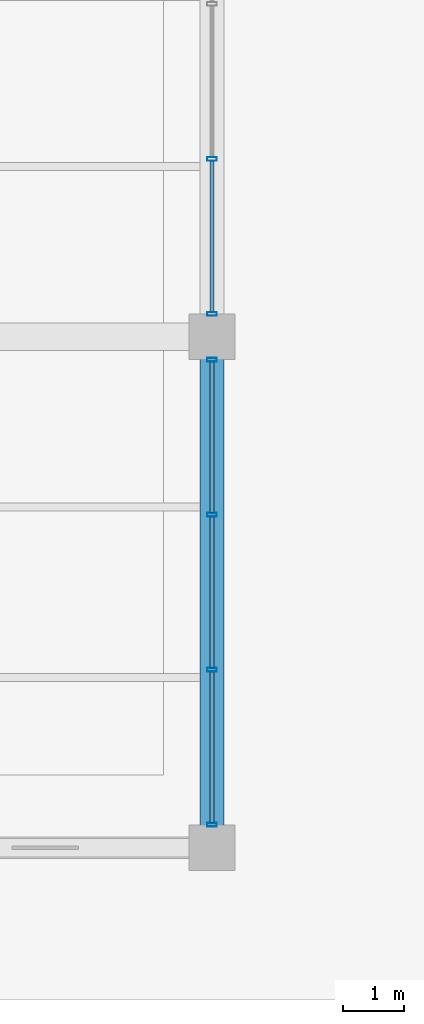
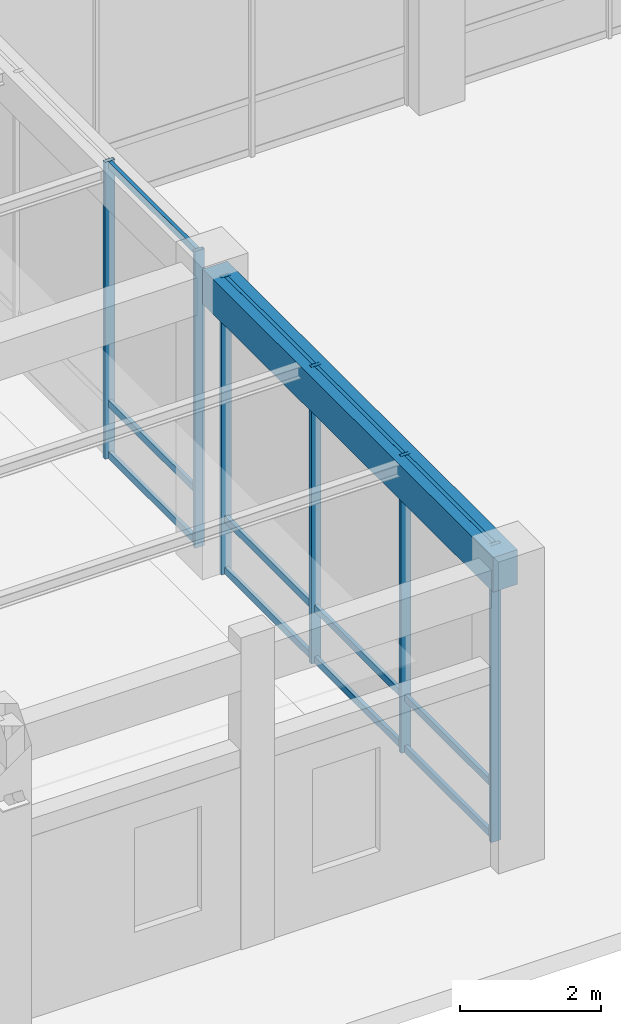
# One storey, part 9 of 157: 18 members, 1 beam, 2 elements without a shape of their own.
"""IFC4 building model written with IfcOpenShell, lengths in metres."""

import ifcopenshell
import ifcopenshell.guid

model = None  # the IFC model being written
_history = None  # IfcOwnerHistory: only IFC2X3 demands one
_inside = {}  # id of a spatial element -> (the spatial element, [elements in it])
_under = {}  # id of a project, library or spatial element -> (it, [spatial elements below it])
_declared = {}  # id of a project -> (the project, [libraries it declares])
_typed = {}  # id of a type object -> (the type object, [elements of that type])
_made_of = {}  # id of a material, layer set ... -> (it, [elements and type objects made of it])


def new_model(schema):
    """Start an empty IFC model of exactly this schema.

    Asked for "IFC4X3", IfcOpenShell would pick the latest addendum, in which some entities
    have other attributes; the version numbers below select the first issue.
    IFC2X3 requires an IfcOwnerHistory on every rooted entity: one is made here for all.
    """
    global model, _history
    if schema == "IFC4X3":
        model = ifcopenshell.file(schema_version=(4, 3, 0, 0))
    else:
        model = ifcopenshell.file(schema=schema)
    _inside.clear()
    _under.clear()
    _declared.clear()
    _typed.clear()
    _made_of.clear()
    _history = None
    if model.schema == "IFC2X3":
        org = make("IfcOrganization", Name="unknown")
        user = make(
            "IfcPersonAndOrganization",
            ThePerson=make("IfcPerson", FamilyName="unknown"),
            TheOrganization=org,
        )
        app = make(
            "IfcApplication",
            ApplicationDeveloper=org,
            Version="unknown",
            ApplicationFullName="unknown",
            ApplicationIdentifier="unknown",
        )
        _history = make(
            "IfcOwnerHistory",
            OwningUser=user,
            OwningApplication=app,
            ChangeAction="ADDED",
            CreationDate=0,
        )
    return model


def make(cls, **values):
    """One entity of the class cls with the attributes given. An attribute that is None is left unset."""
    return model.create_entity(
        cls, **{name: value for name, value in values.items() if value is not None}
    )


def rooted(cls, **values):
    """An entity with a GlobalId (a new one), such as an element, a storey or a relation."""
    return make(cls, GlobalId=ifcopenshell.guid.new(), OwnerHistory=_history, **values)


def si_unit(unit_type, name, prefix=None):
    """IfcSIUnit, for example si_unit("LENGTHUNIT", "METRE", prefix="MILLI")."""
    return make("IfcSIUnit", UnitType=unit_type, Prefix=prefix, Name=name)


def assignment(units):
    """IfcUnitAssignment: the units of a project."""
    return None if units is None else make("IfcUnitAssignment", Units=units)


def point(xyz):
    """IfcCartesianPoint."""
    return None if xyz is None else make("IfcCartesianPoint", Coordinates=xyz)


def direction(xyz):
    """IfcDirection."""
    return None if xyz is None else make("IfcDirection", DirectionRatios=xyz)


def frame(location, z_axis=None, x_axis=None):
    """IfcAxis2Placement3D, a coordinate frame: its origin and axes. An axis left out is left unset."""
    return make(
        "IfcAxis2Placement3D",
        Location=point(location),
        Axis=direction(z_axis),
        RefDirection=direction(x_axis),
    )


def frame_2d(location, x_axis=None):
    """IfcAxis2Placement2D, a coordinate frame in the plane: its origin and x axis."""
    return make(
        "IfcAxis2Placement2D", Location=point(location), RefDirection=direction(x_axis)
    )


def origin():
    """The frame at (0, 0, 0) with its axes left unset."""
    return frame((0.0, 0.0, 0.0))


def origin_2d():
    """The frame at (0, 0) in the plane with its x axis left unset."""
    return frame_2d((0.0, 0.0))


def place(relative_to, where):
    """IfcLocalPlacement: puts the frame where relative to a parent placement (None: the world)."""
    return make(
        "IfcLocalPlacement", PlacementRelTo=relative_to, RelativePlacement=where
    )


def context(
    kind, dimensions, precision=None, world=None, true_north=None, identifier=None
):
    """IfcGeometricRepresentationContext, for example the 3D "Model" context."""
    return make(
        "IfcGeometricRepresentationContext",
        ContextIdentifier=identifier,
        ContextType=kind,
        CoordinateSpaceDimension=dimensions,
        Precision=precision,
        WorldCoordinateSystem=world,
        TrueNorth=true_north,
    )


def subcontext(parent, identifier, kind, view, scale=None):
    """IfcGeometricRepresentationSubContext, for example "Body" below "Model"."""
    return make(
        "IfcGeometricRepresentationSubContext",
        ContextIdentifier=identifier,
        ContextType=kind,
        ParentContext=parent,
        TargetScale=scale,
        TargetView=view,
    )


def project(units=None, contexts=None):
    """IfcProject with its units and contexts."""
    return rooted(
        "IfcProject",
        Name="project",
        RepresentationContexts=contexts,
        UnitsInContext=assignment(units),
    )


def spatial(cls, under=None, at=None, **own):
    """A site, building, storey or space (cls), placed at a placement, below another one or the project."""
    s = rooted(cls, ObjectPlacement=at, **own)
    if under is not None:
        _under.setdefault(under.id(), (under, []))[1].append(s)
    return s


def profile(cls, at=None, kind="AREA", **sizes):
    """A parametric profile (cls). Its sizes go by their IFC names, for example OverallWidth=200.0."""
    return make(cls, ProfileType=kind, Position=at, **sizes)


def rectangle(**sizes):
    """IfcRectangleProfileDef."""
    return profile("IfcRectangleProfileDef", **sizes)


def hollow_rectangle(**sizes):
    """IfcRectangleHollowProfileDef."""
    return profile("IfcRectangleHollowProfileDef", **sizes)


def extrude(swept, where, along, depth):
    """IfcExtrudedAreaSolid: the profile swept, set in the frame where, extruded along a direction by depth."""
    return make(
        "IfcExtrudedAreaSolid",
        SweptArea=swept,
        Position=where,
        ExtrudedDirection=direction(along),
        Depth=depth,
    )


def shape(context_of_items, identifier, shape_type, items):
    """IfcShapeRepresentation: the items that make up one representation, for example the "Body"."""
    return make(
        "IfcShapeRepresentation",
        ContextOfItems=context_of_items,
        RepresentationIdentifier=identifier,
        RepresentationType=shape_type,
        Items=items,
    )


def material(Name=None, Category=None):
    """IfcMaterial."""
    return make("IfcMaterial", Name=Name, Category=Category)


def material_profile(
    of_material, cross_section, Name=None, Category=None, Priority=None
):
    """IfcMaterialProfile: a cross section and its material."""
    return make(
        "IfcMaterialProfile",
        Name=Name,
        Material=of_material,
        Profile=cross_section,
        Priority=Priority,
        Category=Category,
    )


def profile_set(profiles, Name=None, composite=None):
    """IfcMaterialProfileSet."""
    return make(
        "IfcMaterialProfileSet",
        Name=Name,
        MaterialProfiles=profiles,
        CompositeProfile=composite,
    )


def made_of(thing, what):
    """Note that an element or type object is made of a material, layer set ...; save() writes the relation."""
    if what is not None:
        _made_of.setdefault(what.id(), (what, []))[1].append(thing)
    return thing


def type_object(cls, material=None, **own):
    """A type object (cls), such as IfcWallType, which elements share."""
    return made_of(rooted(cls, **own), material)


def element(
    cls,
    number,
    at=None,
    inside=None,
    cuts=None,
    type_object=None,
    material=None,
    context=None,
    identifier="Body",
    shape_type=None,
    held_by="IfcProductDefinitionShape",
    body=None,
    shapes=None,
    **own,
):
    """One element of the class cls, such as IfcWall. Its Tag is "e" and its number.

    at: its placement. inside: the storey or other place that contains it. cuts: it is an
    opening in that element (IfcRelVoidsElement). A single representation is given by context,
    identifier, shape_type and body (its items); several are given by shapes. held_by: the class
    of the entity that holds the representations. save() writes the other relations.
    """
    e = rooted(cls, Tag="e%d" % number, ObjectPlacement=at, **own)
    if body is not None:
        shapes = [shape(context, identifier, shape_type, body)]
    if shapes is not None:
        e.Representation = make(held_by, Representations=shapes)
    if inside is not None:
        _inside.setdefault(inside.id(), (inside, []))[1].append(e)
    if cuts is not None:
        rooted(
            "IfcRelVoidsElement", RelatingBuildingElement=cuts, RelatedOpeningElement=e
        )
    if type_object is not None:
        _typed.setdefault(type_object.id(), (type_object, []))[1].append(e)
    return made_of(e, material)


def aggregate(whole, parts):
    """IfcRelAggregates: a whole, such as a stair, and the parts it consists of."""
    return rooted("IfcRelAggregates", RelatingObject=whole, RelatedObjects=parts)


def save(model, path):
    """Write the relations noted so far, then the file.

    IfcRelAggregates (storeys below a building ...), IfcRelContainedInSpatialStructure (elements
    in a storey), IfcRelDefinesByType, IfcRelAssociatesMaterial and IfcRelDeclares: one each for
    every whole, place, type object, material and project.
    """
    for whole, parts in _under.values():
        aggregate(whole, parts)
    for where, things in _inside.values():
        rooted(
            "IfcRelContainedInSpatialStructure",
            RelatedElements=things,
            RelatingStructure=where,
        )
    for kind, things in _typed.values():
        rooted("IfcRelDefinesByType", RelatedObjects=things, RelatingType=kind)
    for what, things in _made_of.values():
        rooted("IfcRelAssociatesMaterial", RelatedObjects=things, RelatingMaterial=what)
    for by, libraries in _declared.values():
        rooted("IfcRelDeclares", RelatingContext=by, RelatedDefinitions=libraries)
    model.write(path)


model = new_model("IFC4")

# Units and contexts
model_context = context("Model", 3, precision=1e-05, world=origin(), true_north=direction((0.0, 1.0)))
body_context = subcontext(model_context, "Body", "Model", "MODEL_VIEW")
ifc_project = project(units=[si_unit("LENGTHUNIT", "METRE"), si_unit("AREAUNIT", "SQUARE_METRE"), si_unit("VOLUMEUNIT", "CUBIC_METRE"), si_unit("PLANEANGLEUNIT", "RADIAN"), si_unit("MASSUNIT", "GRAM", prefix="KILO"), si_unit("THERMODYNAMICTEMPERATUREUNIT", "KELVIN"), si_unit("POWERUNIT", "WATT")], contexts=[model_context])

# Site, building, storey
site_placement = place(None, origin())
site = spatial("IfcSite", under=ifc_project, at=site_placement, CompositionType="ELEMENT")
building_placement = place(site_placement, origin())
building = spatial("IfcBuilding", under=site, at=building_placement, Name="Darbajah Civic Hall", CompositionType="ELEMENT")
storey_placement = place(building_placement, origin())
storey = spatial("IfcBuildingStorey", under=building, at=storey_placement, Name="L00", CompositionType="ELEMENT", Elevation=0.0)

# Curtain wall, members
ifc_material_1 = material(Name="Anodised Bronze Aluminium and Low-E Glazing", Category="aluminium")
curtain_wall_type = type_object("IfcCurtainWallType", Name="Unitised Curtain Wall CW-98 7600x5150", PredefinedType="USERDEFINED", material=ifc_material_1)
curtain_wall_1_placement = place(storey_placement, origin())
curtain_wall_1 = element("IfcCurtainWall", 1, at=curtain_wall_1_placement, inside=storey, type_object=curtain_wall_type, Name="L00 unitised curtain wall CW-V5-L00-S1-B0", ObjectType="UNITISED CURTAIN WALL", PredefinedType="USERDEFINED")
ifc_material_2 = material(Name="Anodised Bronze Aluminium", Category="aluminium")
ifc_material_profile_1 = material_profile(ifc_material_2, hollow_rectangle(XDim=0.06005859375, YDim=0.159912109375, WallThickness=0.00341796875, at=origin_2d()), Name="ALU MULLION 60x160")
ifc_profile_set_1 = profile_set([ifc_material_profile_1], Name="Anodised Bronze Aluminium")
member_type_1 = type_object("IfcMemberType", Name="ALU MULLION 60x160", PredefinedType="MULLION", material=ifc_profile_set_1)
member_1_placement = place(storey_placement, frame((16.800048828125, 0.376953125, 0.0), z_axis=(0.0, 0.0, 1.0), x_axis=(0.0, 1.0, 0.0)))
member_1 = element("IfcMember", 2, at=member_1_placement, type_object=member_type_1, Name="CW-V5-L00-S1-B0 mullion 1", PredefinedType="MULLION", context=body_context, shape_type="SweptSolid", body=[
    extrude(hollow_rectangle(XDim=0.06005859375, YDim=0.159912109375, WallThickness=0.00341796875, at=origin_2d()), origin(), (0.0, 0.0, 1.0), 5.139892578125),
])
member_2_placement = place(storey_placement, frame((16.800048828125, 2.92578125, 0.0), z_axis=(0.0, 0.0, 1.0), x_axis=(0.0, 1.0, 0.0)))
member_2 = element("IfcMember", 3, at=member_2_placement, type_object=member_type_1, Name="CW-V5-L00-S1-B0 mullion 2", PredefinedType="MULLION", context=body_context, shape_type="SweptSolid", body=[
    extrude(hollow_rectangle(XDim=0.06005859375, YDim=0.159912109375, WallThickness=0.00341796875, at=origin_2d()), origin(), (0.0, 0.0, 1.0), 5.139892578125),
])
member_3_placement = place(storey_placement, frame((16.800048828125, 5.474365234375, 0.0), z_axis=(0.0, 0.0, 1.0), x_axis=(0.0, 1.0, 0.0)))
member_3 = element("IfcMember", 4, at=member_3_placement, type_object=member_type_1, Name="CW-V5-L00-S1-B0 mullion 3", PredefinedType="MULLION", context=body_context, shape_type="SweptSolid", body=[
    extrude(hollow_rectangle(XDim=0.06005859375, YDim=0.159912109375, WallThickness=0.00341796875, at=origin_2d()), origin(), (0.0, 0.0, 1.0), 5.139892578125),
])
member_4_placement = place(storey_placement, frame((16.800048828125, 8.02294921875, 0.0), z_axis=(0.0, 0.0, 1.0), x_axis=(0.0, 1.0, 0.0)))
member_4 = element("IfcMember", 5, at=member_4_placement, type_object=member_type_1, Name="CW-V5-L00-S1-B0 mullion 4", PredefinedType="MULLION", context=body_context, shape_type="SweptSolid", body=[
    extrude(hollow_rectangle(XDim=0.06005859375, YDim=0.159912109375, WallThickness=0.00341796875, at=origin_2d()), origin(), (0.0, 0.0, 1.0), 5.139892578125),
])

curtain_wall_2_placement = place(storey_placement, origin())
curtain_wall_2 = element("IfcCurtainWall", 6, at=curtain_wall_2_placement, inside=storey, type_object=curtain_wall_type, Name="L00 unitised curtain wall CW-V5-L00-S1-B1", ObjectType="UNITISED CURTAIN WALL", PredefinedType="USERDEFINED")
member_5_placement = place(storey_placement, frame((16.800048828125, 8.777099609375, 0.0), z_axis=(0.0, 0.0, 1.0), x_axis=(0.0, 1.0, 0.0)))
member_5 = element("IfcMember", 7, at=member_5_placement, type_object=member_type_1, Name="CW-V5-L00-S1-B1 mullion 1", PredefinedType="MULLION", context=body_context, shape_type="SweptSolid", body=[
    extrude(hollow_rectangle(XDim=0.06005859375, YDim=0.159912109375, WallThickness=0.00341796875, at=origin_2d()), origin(), (0.0, 0.0, 1.0), 5.139892578125),
])
member_6_placement = place(storey_placement, frame((16.800048828125, 11.32568359375, 0.0), z_axis=(0.0, 0.0, 1.0), x_axis=(0.0, 1.0, 0.0)))
member_6 = element("IfcMember", 8, at=member_6_placement, type_object=member_type_1, Name="CW-V5-L00-S1-B1 mullion 2", PredefinedType="MULLION", context=body_context, shape_type="SweptSolid", body=[
    extrude(hollow_rectangle(XDim=0.06005859375, YDim=0.159912109375, WallThickness=0.00341796875, at=origin_2d()), origin(), (0.0, 0.0, 1.0), 5.139892578125),
])

# Member
ifc_material_profile_2 = material_profile(ifc_material_2, hollow_rectangle(XDim=0.06005859375, YDim=0.1201171875, WallThickness=0.003173828125, at=origin_2d()), Name="ALU TRANSOM 60x120")
ifc_profile_set_2 = profile_set([ifc_material_profile_2], Name="Anodised Bronze Aluminium")
member_type_2 = type_object("IfcMemberType", Name="ALU TRANSOM 60x120", PredefinedType="USERDEFINED", material=ifc_profile_set_2)
member_7_placement = place(storey_placement, frame((16.800048828125, 0.412109375, 0.06005859375), z_axis=(0.0, 1.0, 0.0), x_axis=(-1.0, 0.0, 0.0)))
member_7 = element("IfcMember", 9, at=member_7_placement, type_object=member_type_2, Name="CW-V5-L00-S1-B0 transom 1.1", ObjectType="TRANSOM", PredefinedType="USERDEFINED", context=body_context, shape_type="SweptSolid", body=[
    extrude(hollow_rectangle(XDim=0.06005859375, YDim=0.1201171875, WallThickness=0.003173828125, at=origin_2d()), origin(), (0.0, 0.0, 1.0), 2.478515625),
])

member_8_placement = place(storey_placement, frame((16.800048828125, 0.412109375, 0.949951171875), z_axis=(0.0, 1.0, 0.0), x_axis=(-1.0, 0.0, 0.0)))
member_8 = element("IfcMember", 10, at=member_8_placement, type_object=member_type_2, Name="CW-V5-L00-S1-B0 transom 1.2", ObjectType="TRANSOM", PredefinedType="USERDEFINED", context=body_context, shape_type="SweptSolid", body=[
    extrude(hollow_rectangle(XDim=0.06005859375, YDim=0.1201171875, WallThickness=0.003173828125, at=origin_2d()), origin(), (0.0, 0.0, 1.0), 2.478515625),
])

member_9_placement = place(storey_placement, frame((16.800048828125, 0.412109375, 5.080078125), z_axis=(0.0, 1.0, 0.0), x_axis=(-1.0, 0.0, 0.0)))
member_9 = element("IfcMember", 11, at=member_9_placement, type_object=member_type_2, Name="CW-V5-L00-S1-B0 transom 1.3", ObjectType="TRANSOM", PredefinedType="USERDEFINED", context=body_context, shape_type="SweptSolid", body=[
    extrude(hollow_rectangle(XDim=0.06005859375, YDim=0.1201171875, WallThickness=0.003173828125, at=origin_2d()), origin(), (0.0, 0.0, 1.0), 2.478515625),
])

member_10_placement = place(storey_placement, frame((16.800048828125, 2.960693359375, 0.06005859375), z_axis=(0.0, 1.0, 0.0), x_axis=(-1.0, 0.0, 0.0)))
member_10 = element("IfcMember", 12, at=member_10_placement, type_object=member_type_2, Name="CW-V5-L00-S1-B0 transom 2.1", ObjectType="TRANSOM", PredefinedType="USERDEFINED", context=body_context, shape_type="SweptSolid", body=[
    extrude(hollow_rectangle(XDim=0.06005859375, YDim=0.1201171875, WallThickness=0.003173828125, at=origin_2d()), origin(), (0.0, 0.0, 1.0), 2.478515625),
])

member_11_placement = place(storey_placement, frame((16.800048828125, 2.960693359375, 0.949951171875), z_axis=(0.0, 1.0, 0.0), x_axis=(-1.0, 0.0, 0.0)))
member_11 = element("IfcMember", 13, at=member_11_placement, type_object=member_type_2, Name="CW-V5-L00-S1-B0 transom 2.2", ObjectType="TRANSOM", PredefinedType="USERDEFINED", context=body_context, shape_type="SweptSolid", body=[
    extrude(hollow_rectangle(XDim=0.06005859375, YDim=0.1201171875, WallThickness=0.003173828125, at=origin_2d()), origin(), (0.0, 0.0, 1.0), 2.478515625),
])

member_12_placement = place(storey_placement, frame((16.800048828125, 2.960693359375, 5.080078125), z_axis=(0.0, 1.0, 0.0), x_axis=(-1.0, 0.0, 0.0)))
member_12 = element("IfcMember", 14, at=member_12_placement, type_object=member_type_2, Name="CW-V5-L00-S1-B0 transom 2.3", ObjectType="TRANSOM", PredefinedType="USERDEFINED", context=body_context, shape_type="SweptSolid", body=[
    extrude(hollow_rectangle(XDim=0.06005859375, YDim=0.1201171875, WallThickness=0.003173828125, at=origin_2d()), origin(), (0.0, 0.0, 1.0), 2.478515625),
])

member_13_placement = place(storey_placement, frame((16.800048828125, 5.50927734375, 0.06005859375), z_axis=(0.0, 1.0, 0.0), x_axis=(-1.0, 0.0, 0.0)))
member_13 = element("IfcMember", 15, at=member_13_placement, type_object=member_type_2, Name="CW-V5-L00-S1-B0 transom 3.1", ObjectType="TRANSOM", PredefinedType="USERDEFINED", context=body_context, shape_type="SweptSolid", body=[
    extrude(hollow_rectangle(XDim=0.06005859375, YDim=0.1201171875, WallThickness=0.003173828125, at=origin_2d()), origin(), (0.0, 0.0, 1.0), 2.478759765625),
])

member_14_placement = place(storey_placement, frame((16.800048828125, 5.50927734375, 0.949951171875), z_axis=(0.0, 1.0, 0.0), x_axis=(-1.0, 0.0, 0.0)))
member_14 = element("IfcMember", 16, at=member_14_placement, type_object=member_type_2, Name="CW-V5-L00-S1-B0 transom 3.2", ObjectType="TRANSOM", PredefinedType="USERDEFINED", context=body_context, shape_type="SweptSolid", body=[
    extrude(hollow_rectangle(XDim=0.06005859375, YDim=0.1201171875, WallThickness=0.003173828125, at=origin_2d()), origin(), (0.0, 0.0, 1.0), 2.478759765625),
])

member_15_placement = place(storey_placement, frame((16.800048828125, 5.50927734375, 5.080078125), z_axis=(0.0, 1.0, 0.0), x_axis=(-1.0, 0.0, 0.0)))
member_15 = element("IfcMember", 17, at=member_15_placement, type_object=member_type_2, Name="CW-V5-L00-S1-B0 transom 3.3", ObjectType="TRANSOM", PredefinedType="USERDEFINED", context=body_context, shape_type="SweptSolid", body=[
    extrude(hollow_rectangle(XDim=0.06005859375, YDim=0.1201171875, WallThickness=0.003173828125, at=origin_2d()), origin(), (0.0, 0.0, 1.0), 2.478759765625),
])

aggregate(curtain_wall_1, [member_1, member_2, member_3, member_4, member_7, member_8, member_9, member_10, member_11, member_12, member_13, member_14, member_15])

member_16_placement = place(storey_placement, frame((16.800048828125, 8.81201171875, 0.06005859375), z_axis=(0.0, 1.0, 0.0), x_axis=(-1.0, 0.0, 0.0)))
member_16 = element("IfcMember", 18, at=member_16_placement, type_object=member_type_2, Name="CW-V5-L00-S1-B1 transom 1.1", ObjectType="TRANSOM", PredefinedType="USERDEFINED", context=body_context, shape_type="SweptSolid", body=[
    extrude(hollow_rectangle(XDim=0.06005859375, YDim=0.1201171875, WallThickness=0.003173828125, at=origin_2d()), origin(), (0.0, 0.0, 1.0), 2.478759765625),
])

member_17_placement = place(storey_placement, frame((16.800048828125, 8.81201171875, 0.949951171875), z_axis=(0.0, 1.0, 0.0), x_axis=(-1.0, 0.0, 0.0)))
member_17 = element("IfcMember", 19, at=member_17_placement, type_object=member_type_2, Name="CW-V5-L00-S1-B1 transom 1.2", ObjectType="TRANSOM", PredefinedType="USERDEFINED", context=body_context, shape_type="SweptSolid", body=[
    extrude(hollow_rectangle(XDim=0.06005859375, YDim=0.1201171875, WallThickness=0.003173828125, at=origin_2d()), origin(), (0.0, 0.0, 1.0), 2.478759765625),
])

member_18_placement = place(storey_placement, frame((16.800048828125, 8.81201171875, 5.080078125), z_axis=(0.0, 1.0, 0.0), x_axis=(-1.0, 0.0, 0.0)))
member_18 = element("IfcMember", 20, at=member_18_placement, type_object=member_type_2, Name="CW-V5-L00-S1-B1 transom 1.3", ObjectType="TRANSOM", PredefinedType="USERDEFINED", context=body_context, shape_type="SweptSolid", body=[
    extrude(hollow_rectangle(XDim=0.06005859375, YDim=0.1201171875, WallThickness=0.003173828125, at=origin_2d()), origin(), (0.0, 0.0, 1.0), 2.478759765625),
])

aggregate(curtain_wall_2, [member_5, member_6, member_16, member_17, member_18])

# Beam
ifc_material_3 = material(Name="Concrete C45/55", Category="concrete")
ifc_material_profile_3 = material_profile(ifc_material_3, rectangle(XDim=0.39990234375, YDim=0.60009765625, at=origin_2d()), Name="RC BEAM 400x600")
ifc_profile_set_3 = profile_set([ifc_material_profile_3], Name="Concrete C45/55")
beam_type = type_object("IfcBeamType", Name="RC BEAM 400x600", PredefinedType="BEAM", material=ifc_profile_set_3)
beam_placement = place(storey_placement, frame((16.800048828125, 0.080078125, 4.840087890625), z_axis=(0.0, 1.0, 0.0), x_axis=(-1.0, 0.0, 0.0)))
element("IfcBeam", 21, at=beam_placement, inside=storey, type_object=beam_type, Name="L00 beam BM-4060", PredefinedType="BEAM", context=body_context, shape_type="SweptSolid", body=[
    extrude(rectangle(XDim=0.39990234375, YDim=0.60009765625, at=origin_2d()), origin(), (0.0, 0.0, 1.0), 8.239990234375),
])

save(model, "model.ifc")
